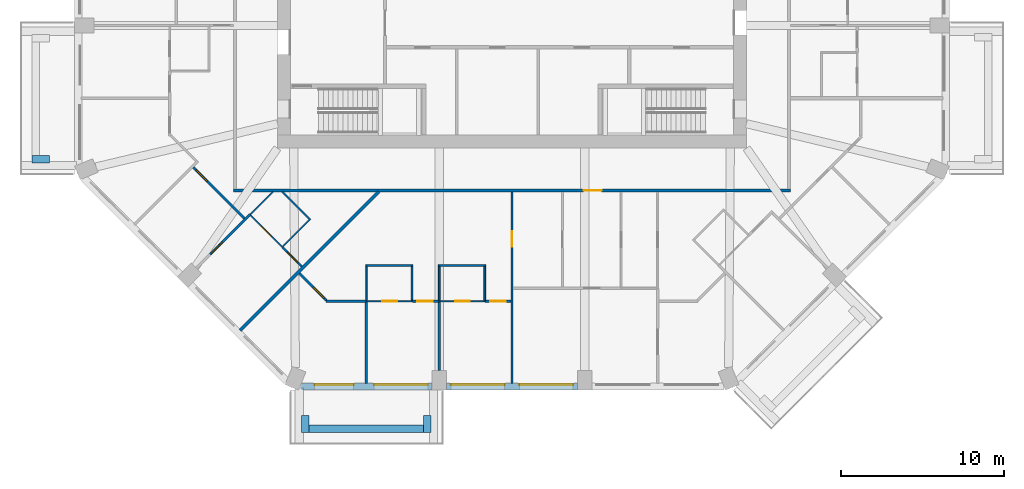
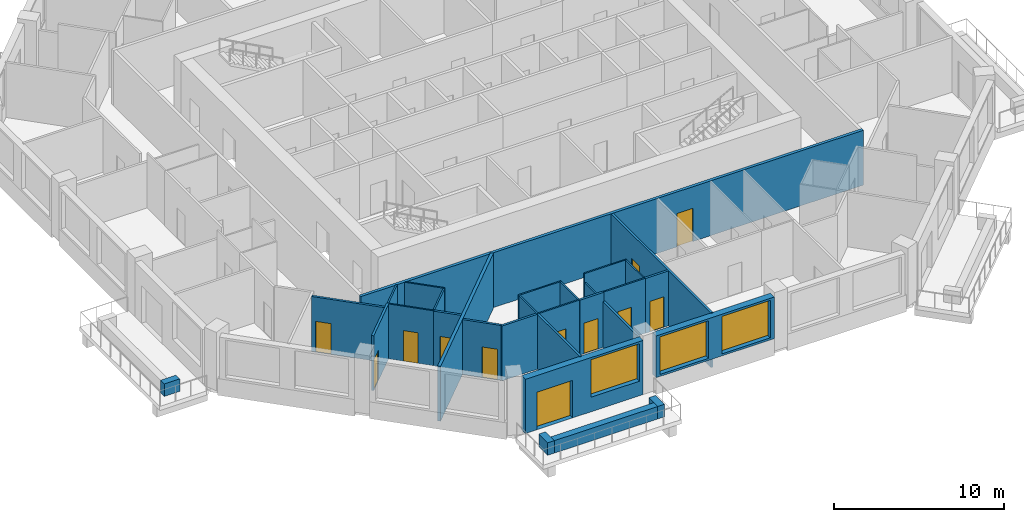
# One storey, part 3 of 12: 30 walls, 12 doors, 3 windows, 15 openings.
"""IFC4 building model written with IfcOpenShell, lengths in metres."""

import ifcopenshell
import ifcopenshell.guid

model = None  # the IFC model being written
_history = None  # IfcOwnerHistory: only IFC2X3 demands one
_inside = {}  # id of a spatial element -> (the spatial element, [elements in it])
_under = {}  # id of a project, library or spatial element -> (it, [spatial elements below it])
_declared = {}  # id of a project -> (the project, [libraries it declares])
_typed = {}  # id of a type object -> (the type object, [elements of that type])
_made_of = {}  # id of a material, layer set ... -> (it, [elements and type objects made of it])


def new_model(schema):
    """Start an empty IFC model of exactly this schema.

    Asked for "IFC4X3", IfcOpenShell would pick the latest addendum, in which some entities
    have other attributes; the version numbers below select the first issue.
    IFC2X3 requires an IfcOwnerHistory on every rooted entity: one is made here for all.
    """
    global model, _history
    if schema == "IFC4X3":
        model = ifcopenshell.file(schema_version=(4, 3, 0, 0))
    else:
        model = ifcopenshell.file(schema=schema)
    _inside.clear()
    _under.clear()
    _declared.clear()
    _typed.clear()
    _made_of.clear()
    _history = None
    if model.schema == "IFC2X3":
        org = make("IfcOrganization", Name="unknown")
        user = make(
            "IfcPersonAndOrganization",
            ThePerson=make("IfcPerson", FamilyName="unknown"),
            TheOrganization=org,
        )
        app = make(
            "IfcApplication",
            ApplicationDeveloper=org,
            Version="unknown",
            ApplicationFullName="unknown",
            ApplicationIdentifier="unknown",
        )
        _history = make(
            "IfcOwnerHistory",
            OwningUser=user,
            OwningApplication=app,
            ChangeAction="ADDED",
            CreationDate=0,
        )
    return model


def make(cls, **values):
    """One entity of the class cls with the attributes given. An attribute that is None is left unset."""
    return model.create_entity(
        cls, **{name: value for name, value in values.items() if value is not None}
    )


def rooted(cls, **values):
    """An entity with a GlobalId (a new one), such as an element, a storey or a relation."""
    return make(cls, GlobalId=ifcopenshell.guid.new(), OwnerHistory=_history, **values)


def si_unit(unit_type, name, prefix=None):
    """IfcSIUnit, for example si_unit("LENGTHUNIT", "METRE", prefix="MILLI")."""
    return make("IfcSIUnit", UnitType=unit_type, Prefix=prefix, Name=name)


def assignment(units):
    """IfcUnitAssignment: the units of a project."""
    return None if units is None else make("IfcUnitAssignment", Units=units)


def point(xyz):
    """IfcCartesianPoint."""
    return None if xyz is None else make("IfcCartesianPoint", Coordinates=xyz)


def direction(xyz):
    """IfcDirection."""
    return None if xyz is None else make("IfcDirection", DirectionRatios=xyz)


def frame(location, z_axis=None, x_axis=None):
    """IfcAxis2Placement3D, a coordinate frame: its origin and axes. An axis left out is left unset."""
    return make(
        "IfcAxis2Placement3D",
        Location=point(location),
        Axis=direction(z_axis),
        RefDirection=direction(x_axis),
    )


def frame_2d(location, x_axis=None):
    """IfcAxis2Placement2D, a coordinate frame in the plane: its origin and x axis."""
    return make(
        "IfcAxis2Placement2D", Location=point(location), RefDirection=direction(x_axis)
    )


def origin():
    """The frame at (0, 0, 0) with its axes left unset."""
    return frame((0.0, 0.0, 0.0))


def place(relative_to, where):
    """IfcLocalPlacement: puts the frame where relative to a parent placement (None: the world)."""
    return make(
        "IfcLocalPlacement", PlacementRelTo=relative_to, RelativePlacement=where
    )


def context(
    kind, dimensions, precision=None, world=None, true_north=None, identifier=None
):
    """IfcGeometricRepresentationContext, for example the 3D "Model" context."""
    return make(
        "IfcGeometricRepresentationContext",
        ContextIdentifier=identifier,
        ContextType=kind,
        CoordinateSpaceDimension=dimensions,
        Precision=precision,
        WorldCoordinateSystem=world,
        TrueNorth=true_north,
    )


def subcontext(parent, identifier, kind, view, scale=None):
    """IfcGeometricRepresentationSubContext, for example "Body" below "Model"."""
    return make(
        "IfcGeometricRepresentationSubContext",
        ContextIdentifier=identifier,
        ContextType=kind,
        ParentContext=parent,
        TargetScale=scale,
        TargetView=view,
    )


def project(units=None, contexts=None):
    """IfcProject with its units and contexts."""
    return rooted(
        "IfcProject",
        Name="project",
        RepresentationContexts=contexts,
        UnitsInContext=assignment(units),
    )


def spatial(cls, under=None, at=None, **own):
    """A site, building, storey or space (cls), placed at a placement, below another one or the project."""
    s = rooted(cls, ObjectPlacement=at, **own)
    if under is not None:
        _under.setdefault(under.id(), (under, []))[1].append(s)
    return s


def profile(cls, at=None, kind="AREA", **sizes):
    """A parametric profile (cls). Its sizes go by their IFC names, for example OverallWidth=200.0."""
    return make(cls, ProfileType=kind, Position=at, **sizes)


def rectangle(**sizes):
    """IfcRectangleProfileDef."""
    return profile("IfcRectangleProfileDef", **sizes)


def extrude(swept, where, along, depth):
    """IfcExtrudedAreaSolid: the profile swept, set in the frame where, extruded along a direction by depth."""
    return make(
        "IfcExtrudedAreaSolid",
        SweptArea=swept,
        Position=where,
        ExtrudedDirection=direction(along),
        Depth=depth,
    )


def shape(context_of_items, identifier, shape_type, items):
    """IfcShapeRepresentation: the items that make up one representation, for example the "Body"."""
    return make(
        "IfcShapeRepresentation",
        ContextOfItems=context_of_items,
        RepresentationIdentifier=identifier,
        RepresentationType=shape_type,
        Items=items,
    )


def material(Name=None, Category=None):
    """IfcMaterial."""
    return make("IfcMaterial", Name=Name, Category=Category)


def layer(
    of_material, thickness, ventilated=None, Name=None, Category=None, Priority=None
):
    """IfcMaterialLayer: one layer of a wall or slab, of a material (None: an air gap)."""
    return make(
        "IfcMaterialLayer",
        Material=of_material,
        LayerThickness=thickness,
        IsVentilated=ventilated,
        Name=Name,
        Category=Category,
        Priority=Priority,
    )


def layer_set(layers, Name=None):
    """IfcMaterialLayerSet."""
    return make("IfcMaterialLayerSet", MaterialLayers=layers, LayerSetName=Name)


def made_of(thing, what):
    """Note that an element or type object is made of a material, layer set ...; save() writes the relation."""
    if what is not None:
        _made_of.setdefault(what.id(), (what, []))[1].append(thing)
    return thing


def type_object(cls, material=None, **own):
    """A type object (cls), such as IfcWallType, which elements share."""
    return made_of(rooted(cls, **own), material)


def element(
    cls,
    number,
    at=None,
    inside=None,
    cuts=None,
    type_object=None,
    material=None,
    context=None,
    identifier="Body",
    shape_type=None,
    held_by="IfcProductDefinitionShape",
    body=None,
    shapes=None,
    **own,
):
    """One element of the class cls, such as IfcWall. Its Tag is "e" and its number.

    at: its placement. inside: the storey or other place that contains it. cuts: it is an
    opening in that element (IfcRelVoidsElement). A single representation is given by context,
    identifier, shape_type and body (its items); several are given by shapes. held_by: the class
    of the entity that holds the representations. save() writes the other relations.
    """
    e = rooted(cls, Tag="e%d" % number, ObjectPlacement=at, **own)
    if body is not None:
        shapes = [shape(context, identifier, shape_type, body)]
    if shapes is not None:
        e.Representation = make(held_by, Representations=shapes)
    if inside is not None:
        _inside.setdefault(inside.id(), (inside, []))[1].append(e)
    if cuts is not None:
        rooted(
            "IfcRelVoidsElement", RelatingBuildingElement=cuts, RelatedOpeningElement=e
        )
    if type_object is not None:
        _typed.setdefault(type_object.id(), (type_object, []))[1].append(e)
    return made_of(e, material)


def fill(opening, filler):
    """IfcRelFillsElement: the door or window that sits in an opening."""
    return rooted(
        "IfcRelFillsElement",
        RelatingOpeningElement=opening,
        RelatedBuildingElement=filler,
    )


def aggregate(whole, parts):
    """IfcRelAggregates: a whole, such as a stair, and the parts it consists of."""
    return rooted("IfcRelAggregates", RelatingObject=whole, RelatedObjects=parts)


def save(model, path):
    """Write the relations noted so far, then the file.

    IfcRelAggregates (storeys below a building ...), IfcRelContainedInSpatialStructure (elements
    in a storey), IfcRelDefinesByType, IfcRelAssociatesMaterial and IfcRelDeclares: one each for
    every whole, place, type object, material and project.
    """
    for whole, parts in _under.values():
        aggregate(whole, parts)
    for where, things in _inside.values():
        rooted(
            "IfcRelContainedInSpatialStructure",
            RelatedElements=things,
            RelatingStructure=where,
        )
    for kind, things in _typed.values():
        rooted("IfcRelDefinesByType", RelatedObjects=things, RelatingType=kind)
    for what, things in _made_of.values():
        rooted("IfcRelAssociatesMaterial", RelatedObjects=things, RelatingMaterial=what)
    for by, libraries in _declared.values():
        rooted("IfcRelDeclares", RelatingContext=by, RelatedDefinitions=libraries)
    model.write(path)


model = new_model("IFC4")

# Units and contexts
model_context = context("Model", 3, precision=1e-05, world=origin(), true_north=direction((0.0, 1.0)))
body_context = subcontext(model_context, "Body", "Model", "MODEL_VIEW")
ifc_project = project(units=[si_unit("LENGTHUNIT", "METRE"), si_unit("AREAUNIT", "SQUARE_METRE"), si_unit("VOLUMEUNIT", "CUBIC_METRE"), si_unit("PLANEANGLEUNIT", "RADIAN"), si_unit("MASSUNIT", "GRAM", prefix="KILO")], contexts=[model_context])

# Site, building, storey
site_placement = place(None, origin())
site = spatial("IfcSite", under=ifc_project, at=site_placement, CompositionType="ELEMENT")
building_placement = place(site_placement, origin())
building = spatial("IfcBuilding", under=site, at=building_placement, Name="Msitu Wima Residences", CompositionType="ELEMENT")
storey_placement = place(building_placement, frame((0.0, 0.0, 123.300048828125)))
storey = spatial("IfcBuildingStorey", under=building, at=storey_placement, Name="L28", CompositionType="ELEMENT", Elevation=123.300048828125)

# Walls
ifc_material_1 = material(Name="Facing brick")
ifc_layer_1 = layer(ifc_material_1, 0.06494140625, Name="Facing brick")
ifc_material_2 = material(Name="Concrete C40/50", Category="concrete")
ifc_layer_2 = layer(ifc_material_2, 0.156005859375, Name="Concrete C40/50")
ifc_material_3 = material(Name="Waterproofing membrane")
ifc_layer_3 = layer(ifc_material_3, 0.00390625, Name="Waterproofing membrane")
ifc_material_4 = material(Name="Planting soil and planting")
ifc_layer_4 = layer(ifc_material_4, 0.22509765625, Name="Planting soil and planting")
ifc_layer_set_1 = layer_set([ifc_layer_1, ifc_layer_2, ifc_layer_3, ifc_layer_4], Name="Concrete C40/50")
wall_type_1 = type_object("IfcWallType", Name="Balcony planter PLANTER PL450", PredefinedType="USERDEFINED", material=ifc_layer_set_1)
wall_1_placement = place(storey_placement, frame((-28.39990234375, -12.680908203125, 0.0), z_axis=(0.0, 0.0, 1.0), x_axis=(-1.0, 0.0, 0.0)))
element("IfcWall", 1, at=wall_1_placement, inside=storey, type_object=wall_type_1, Name="Balcony planter W2 L28", ObjectType="PLANTER", PredefinedType="USERDEFINED", context=body_context, shape_type="SweptSolid", body=[
    extrude(rectangle(XDim=1.050048828125, YDim=0.449951171875, at=frame_2d((0.52490234375, 0.0))), origin(), (0.0, 0.0, 1.0), 0.89990234375),
])
wall_2_placement = place(storey_placement, frame((-12.455810546875, -29.22509765625, 0.0), z_axis=(0.0, 0.0, 1.0), x_axis=(1.0, 0.0, 0.0)))
element("IfcWall", 2, at=wall_2_placement, inside=storey, type_object=wall_type_1, Name="Balcony planter S0 L28", ObjectType="PLANTER", PredefinedType="USERDEFINED", context=body_context, shape_type="SweptSolid", body=[
    extrude(rectangle(XDim=7.037109375, YDim=0.449951171875, at=frame_2d((3.5185546875, 0.0))), origin(), (0.0, 0.0, 1.0), 0.89990234375),
])
for number, where, z_axis, x_axis, name in (
    (3, (-12.680908203125, -28.39990234375, 0.0), (0.0, 0.0, 1.0), (0.0, -1.0, 0.0), "Balcony planter S0 L28"),
    (4, (-5.193603515625, -28.39990234375, 0.0), (0.0, 0.0, 1.0), (0.0, -1.0, 0.0), "Balcony planter S0 L28"),
):
    element("IfcWall", number, at=place(storey_placement, frame(where, z_axis=z_axis, x_axis=x_axis)), inside=storey, type_object=wall_type_1, Name=name, ObjectType="PLANTER", PredefinedType="USERDEFINED", context=body_context, shape_type="SweptSolid", body=[
        extrude(rectangle(XDim=1.050048828125, YDim=0.449951171875, at=frame_2d((0.52490234375, 0.0))), origin(), (0.0, 0.0, 1.0), 0.89990234375),
    ])

# Wall, openings, door, window
ifc_material_5 = material(Name="Brick (red buff mix)", Category="masonry")
ifc_layer_5 = layer(ifc_material_5, 0.449951171875)
ifc_layer_set_2 = layer_set([ifc_layer_5], Name="Brick (red buff mix)")
wall_type_2 = type_object("IfcWallType", Name="Brick infill wall BW450", PredefinedType="SOLIDWALL", material=ifc_layer_set_2)
wall_3_placement = place(storey_placement, frame((-12.918701171875, -26.625, 0.0), z_axis=(0.0, 0.0, 1.0), x_axis=(1.0, 0.0, 0.0)))
wall_3 = element("IfcWall", 5, at=wall_3_placement, inside=storey, type_object=wall_type_2, Name="Brick infill wall L28 S0", PredefinedType="SOLIDWALL", context=body_context, shape_type="SweptSolid", body=[
    extrude(rectangle(XDim=8.0, YDim=0.449951171875, at=frame_2d((4.0, 0.0))), origin(), (0.0, 0.0, 1.0), 3.89990234375),
])
opening_1_placement = place(wall_3_placement, frame((0.800048828125, 0.0, 0.0)))
opening_1 = element("IfcOpeningElement", 6, at=opening_1_placement, cuts=wall_3, Name="Opening D27-29.005", PredefinedType="OPENING", context=body_context, shape_type="SweptSolid", body=[
    extrude(rectangle(XDim=2.39990234375, YDim=2.699951171875, at=frame_2d((1.199951171875, 1.35009765625))), frame((0.0, 0.23486328125, 0.0), z_axis=(0.0, -1.0, 0.0), x_axis=(1.0, 0.0, 0.0)), (0.0, 0.0, 1.0), 0.469970703125),
])
opening_2_placement = place(wall_3_placement, frame((4.4501953125, 0.0, 1.050048828125)))
opening_2 = element("IfcOpeningElement", 7, at=opening_2_placement, cuts=wall_3, Name="Opening W27-29.017", PredefinedType="OPENING", context=body_context, shape_type="SweptSolid", body=[
    extrude(rectangle(XDim=3.300048828125, YDim=2.699951171875, at=frame_2d((1.64990234375, 1.35009765625))), frame((0.0, 0.23486328125, 0.0), z_axis=(0.0, -1.0, 0.0), x_axis=(1.0, 0.0, 0.0)), (0.0, 0.0, 1.0), 0.469970703125),
])
ifc_material_6 = material(Name="Anodised aluminium, bronze finish, clear low-emissivity double glazing", Category="aluminium")
door_type_1 = type_object("IfcDoorType", Name="Balcony door D2400x2700", OperationType="SLIDING_TO_LEFT", PredefinedType="DOOR", material=ifc_material_6)
door_1_placement = place(opening_1_placement, origin())
door_1 = element("IfcDoor", 8, at=door_1_placement, inside=storey, type_object=door_type_1, Name="Balcony door L28 S0", OperationType="SINGLE_SWING_LEFT", OverallHeight=2.699951171875, OverallWidth=2.39990234375, PredefinedType="DOOR", context=body_context, shape_type="SweptSolid", body=[
    extrude(rectangle(XDim=2.39990234375, YDim=2.699951171875, at=frame_2d((1.199951171875, 1.35009765625))), frame((0.0, 0.1298828125, 0.0), z_axis=(0.0, -1.0, 0.0), x_axis=(1.0, 0.0, 0.0)), (0.0, 0.0, 1.0), 0.050048828125),
])
fill(opening_1, door_1)
window_type = type_object("IfcWindowType", Name="Window W3300x2700", PartitioningType="DOUBLE_PANEL_VERTICAL", PredefinedType="WINDOW", material=ifc_material_6)
window_1_placement = place(opening_2_placement, origin())
window_1 = element("IfcWindow", 9, at=window_1_placement, inside=storey, type_object=window_type, Name="Window L28 S0.2", OverallHeight=2.699951171875, OverallWidth=3.300048828125, PartitioningType="SINGLE_PANEL", PredefinedType="WINDOW", context=body_context, shape_type="SweptSolid", body=[
    extrude(rectangle(XDim=3.300048828125, YDim=2.699951171875, at=frame_2d((1.64990234375, 1.35009765625))), frame((0.0, 0.135009765625, 0.0), z_axis=(0.0, -1.0, 0.0), x_axis=(1.0, 0.0, 0.0)), (0.0, 0.0, 1.0), 0.06005859375),
])
fill(opening_2, window_1)

# Wall, openings, windows
wall_4_placement = place(storey_placement, frame((-4.0185546875, -26.625, 0.89990234375), z_axis=(0.0, 0.0, 1.0), x_axis=(1.0, 0.0, 0.0)))
wall_4 = element("IfcWall", 10, at=wall_4_placement, inside=storey, type_object=wall_type_2, Name="Brick infill wall L28 S1", PredefinedType="SOLIDWALL", context=body_context, shape_type="SweptSolid", body=[
    extrude(rectangle(XDim=8.037109375, YDim=0.449951171875, at=frame_2d((4.0185546875, 0.0))), origin(), (0.0, 0.0, 1.0), 3.0),
])
opening_3_placement = place(wall_4_placement, frame((0.2685546875, 0.0, 0.14990234375)))
opening_3 = element("IfcOpeningElement", 11, at=opening_3_placement, cuts=wall_4, Name="Opening W27-29.018", PredefinedType="OPENING", context=body_context, shape_type="SweptSolid", body=[
    extrude(rectangle(XDim=3.300048828125, YDim=2.699951171875, at=frame_2d((1.64990234375, 1.35009765625))), frame((0.0, 0.23486328125, 0.0), z_axis=(0.0, -1.0, 0.0), x_axis=(1.0, 0.0, 0.0)), (0.0, 0.0, 1.0), 0.469970703125),
])
opening_4_placement = place(wall_4_placement, frame((4.46875, 0.0, 0.14990234375)))
opening_4 = element("IfcOpeningElement", 12, at=opening_4_placement, cuts=wall_4, Name="Opening W27-29.019", PredefinedType="OPENING", context=body_context, shape_type="SweptSolid", body=[
    extrude(rectangle(XDim=3.300048828125, YDim=2.699951171875, at=frame_2d((1.64990234375, 1.35009765625))), frame((0.0, 0.23486328125, 0.0), z_axis=(0.0, -1.0, 0.0), x_axis=(1.0, 0.0, 0.0)), (0.0, 0.0, 1.0), 0.469970703125),
])
window_2_placement = place(opening_3_placement, origin())
window_2 = element("IfcWindow", 13, at=window_2_placement, inside=storey, type_object=window_type, Name="Window L28 S1.1", OverallHeight=2.699951171875, OverallWidth=3.300048828125, PartitioningType="SINGLE_PANEL", PredefinedType="WINDOW", context=body_context, shape_type="SweptSolid", body=[
    extrude(rectangle(XDim=3.300048828125, YDim=2.699951171875, at=frame_2d((1.64990234375, 1.35009765625))), frame((0.0, 0.135009765625, 0.0), z_axis=(0.0, -1.0, 0.0), x_axis=(1.0, 0.0, 0.0)), (0.0, 0.0, 1.0), 0.06005859375),
])
fill(opening_3, window_2)
window_3_placement = place(opening_4_placement, origin())
window_3 = element("IfcWindow", 14, at=window_3_placement, inside=storey, type_object=window_type, Name="Window L28 S1.2", OverallHeight=2.699951171875, OverallWidth=3.300048828125, PartitioningType="SINGLE_PANEL", PredefinedType="WINDOW", context=body_context, shape_type="SweptSolid", body=[
    extrude(rectangle(XDim=3.300048828125, YDim=2.699951171875, at=frame_2d((1.64990234375, 1.35009765625))), frame((0.0, 0.135009765625, 0.0), z_axis=(0.0, -1.0, 0.0), x_axis=(1.0, 0.0, 0.0)), (0.0, 0.0, 1.0), 0.06005859375),
])
fill(opening_4, window_3)

# Wall, opening, door
ifc_material_7 = material(Name="Plaster")
ifc_layer_6 = layer(ifc_material_7, 0.011962890625, Name="Plaster")
ifc_material_8 = material(Name="Concrete blockwork", Category="masonry")
ifc_layer_7 = layer(ifc_material_8, 0.176025390625, Name="Concrete blockwork")
ifc_layer_8 = layer(ifc_material_7, 0.011962890625, Name="Plaster")
ifc_layer_set_3 = layer_set([ifc_layer_6, ifc_layer_7, ifc_layer_8], Name="Concrete blockwork")
wall_type_3 = type_object("IfcWallType", Name="Corridor wall FW200", PredefinedType="PARTITIONING", material=ifc_layer_set_3)
wall_5_placement = place(storey_placement, frame((-17.10009765625, -14.60009765625, 0.0), z_axis=(0.0, 0.0, 1.0), x_axis=(1.0, 0.0, 0.0)))
wall_5 = element("IfcWall", 15, at=wall_5_placement, inside=storey, type_object=wall_type_3, Name="Corridor wall", PredefinedType="PARTITIONING", context=body_context, shape_type="SweptSolid", body=[
    extrude(rectangle(XDim=34.2001953125, YDim=0.199951171875, at=frame_2d((17.10009765625, 0.0))), origin(), (0.0, 0.0, 1.0), 3.949951171875),
])
opening_5_placement = place(wall_5_placement, frame((21.5, 0.0, 0.0)))
opening_5 = element("IfcOpeningElement", 16, at=opening_5_placement, cuts=wall_5, Name="Opening D27-29.010", PredefinedType="OPENING", context=body_context, shape_type="SweptSolid", body=[
    extrude(rectangle(XDim=1.10009765625, YDim=2.39990234375, at=frame_2d((0.550048828125, 1.199951171875))), frame((0.0, 0.10986328125, 0.0), z_axis=(0.0, -1.0, 0.0), x_axis=(1.0, 0.0, 0.0)), (0.0, 0.0, 1.0), 0.219970703125),
])
ifc_material_9 = material(Name="Timber flush door, fire resisting, self-closing", Category="wood")
door_type_2 = type_object("IfcDoorType", Name="Flat entrance door D01 1100x2400", OperationType="SINGLE_SWING_LEFT", PredefinedType="DOOR", material=ifc_material_9)
door_2_placement = place(opening_5_placement, origin())
door_2 = element("IfcDoor", 17, at=door_2_placement, inside=storey, type_object=door_type_2, Name="Flat entrance door", OperationType="SINGLE_SWING_LEFT", OverallHeight=2.39990234375, OverallWidth=1.10009765625, PredefinedType="DOOR", context=body_context, shape_type="SweptSolid", body=[
    extrude(rectangle(XDim=1.10009765625, YDim=2.39990234375, at=frame_2d((0.550048828125, 1.199951171875))), frame((0.0, 0.02490234375, 0.0), z_axis=(0.0, -1.0, 0.0), x_axis=(1.0, 0.0, 0.0)), (0.0, 0.0, 1.0), 0.050048828125),
])
fill(opening_5, door_2)

ifc_layer_9 = layer(ifc_material_7, 0.011962890625, Name="Plaster")
ifc_layer_10 = layer(ifc_material_8, 0.1259765625, Name="Concrete blockwork")
ifc_layer_11 = layer(ifc_material_7, 0.011962890625, Name="Plaster")
ifc_layer_set_4 = layer_set([ifc_layer_9, ifc_layer_10, ifc_layer_11], Name="Concrete blockwork")
wall_type_4 = type_object("IfcWallType", Name="Partition PW150", PredefinedType="PARTITIONING", material=ifc_layer_set_4)
wall_6_placement = place(storey_placement, frame((-18.517578125, -18.517578125, 0.0), z_axis=(0.0, 0.0, 1.0), x_axis=(0.707106781187, 0.707106781187, 0.0)))
wall_6 = element("IfcWall", 18, at=wall_6_placement, inside=storey, type_object=wall_type_4, Name="Partition", PredefinedType="PARTITIONING", context=body_context, shape_type="SweptSolid", body=[
    extrude(rectangle(XDim=3.4609375, YDim=0.14990234375, at=frame_2d((1.73046875, 0.0))), origin(), (0.0, 0.0, 1.0), 3.949951171875),
])
opening_6_placement = place(wall_6_placement, frame((0.0908203125, 0.0, 0.0)))
opening_6 = element("IfcOpeningElement", 19, at=opening_6_placement, cuts=wall_6, Name="Opening D27-29.065", PredefinedType="OPENING", context=body_context, shape_type="SweptSolid", body=[
    extrude(rectangle(XDim=0.949951171875, YDim=2.199951171875, at=frame_2d((0.47509765625, 1.10009765625))), frame((0.0, 0.0849609375, 0.0), z_axis=(0.0, -1.0, 0.0), x_axis=(1.0, 0.0, 0.0)), (0.0, 0.0, 1.0), 0.169921875),
])
ifc_material_10 = material(Name="Timber flush door", Category="wood")
door_type_3 = type_object("IfcDoorType", Name="Room door D12 950x2200", OperationType="SINGLE_SWING_LEFT", PredefinedType="DOOR", material=ifc_material_10)
door_3_placement = place(opening_6_placement, origin())
door_3 = element("IfcDoor", 20, at=door_3_placement, inside=storey, type_object=door_type_3, Name="Room door", OperationType="SINGLE_SWING_RIGHT", OverallHeight=2.199951171875, OverallWidth=0.949951171875, PredefinedType="DOOR", context=body_context, shape_type="SweptSolid", body=[
    extrude(rectangle(XDim=0.949951171875, YDim=2.199951171875, at=frame_2d((0.47509765625, 1.10009765625))), frame((0.0, 0.02490234375, 0.0), z_axis=(0.0, -1.0, 0.0), x_axis=(1.0, 0.0, 0.0)), (0.0, 0.0, 1.0), 0.050048828125),
])
fill(opening_6, door_3)

wall_7_placement = place(storey_placement, frame((-19.56298828125, -13.171875, 0.0), z_axis=(0.0, 0.0, 1.0), x_axis=(0.707106781187, -0.707106781187, 0.0)))
wall_7 = element("IfcWall", 21, at=wall_7_placement, inside=storey, type_object=wall_type_4, Name="Partition", PredefinedType="PARTITIONING", context=body_context, shape_type="SweptSolid", body=[
    extrude(rectangle(XDim=4.4443359375, YDim=0.14990234375, at=frame_2d((2.22216796875, 0.0))), origin(), (0.0, 0.0, 1.0), 3.949951171875),
])
opening_7_placement = place(wall_7_placement, frame((0.25, 0.0, 0.0)))
opening_7 = element("IfcOpeningElement", 22, at=opening_7_placement, cuts=wall_7, Name="Opening D27-29.062", PredefinedType="OPENING", context=body_context, shape_type="SweptSolid", body=[
    extrude(rectangle(XDim=0.949951171875, YDim=2.199951171875, at=frame_2d((0.47509765625, 1.10009765625))), frame((0.0, 0.0849609375, 0.0), z_axis=(0.0, -1.0, 0.0), x_axis=(1.0, 0.0, 0.0)), (0.0, 0.0, 1.0), 0.169921875),
])
door_4_placement = place(opening_7_placement, origin())
door_4 = element("IfcDoor", 23, at=door_4_placement, inside=storey, type_object=door_type_3, Name="Room door", OperationType="SINGLE_SWING_RIGHT", OverallHeight=2.199951171875, OverallWidth=0.949951171875, PredefinedType="DOOR", context=body_context, shape_type="SweptSolid", body=[
    extrude(rectangle(XDim=0.949951171875, YDim=2.199951171875, at=frame_2d((0.47509765625, 1.10009765625))), frame((0.0, 0.02490234375, 0.0), z_axis=(0.0, -1.0, 0.0), x_axis=(1.0, 0.0, 0.0)), (0.0, 0.0, 1.0), 0.050048828125),
])
fill(opening_7, door_4)

wall_8_placement = place(storey_placement, frame((-14.090576171875, -18.07861328125, 0.0), z_axis=(0.0, 0.0, 1.0), x_axis=(0.707106781187, -0.707106781187, 0.0)))
wall_8 = element("IfcWall", 24, at=wall_8_placement, inside=storey, type_object=wall_type_4, Name="Partition", PredefinedType="PARTITIONING", context=body_context, shape_type="SweptSolid", body=[
    extrude(rectangle(XDim=1.67431640625, YDim=0.14990234375, at=frame_2d((0.837158203125, 0.0))), origin(), (0.0, 0.0, 1.0), 3.949951171875),
])
opening_8_placement = place(wall_8_placement, frame((0.39990234375, 0.0, 0.0)))
opening_8 = element("IfcOpeningElement", 25, at=opening_8_placement, cuts=wall_8, Name="Opening D27-29.067", PredefinedType="OPENING", context=body_context, shape_type="SweptSolid", body=[
    extrude(rectangle(XDim=0.949951171875, YDim=2.199951171875, at=frame_2d((0.47509765625, 1.10009765625))), frame((0.0, 0.0849609375, 0.0), z_axis=(0.0, -1.0, 0.0), x_axis=(1.0, 0.0, 0.0)), (0.0, 0.0, 1.0), 0.169921875),
])
door_5_placement = place(opening_8_placement, origin())
door_5 = element("IfcDoor", 26, at=door_5_placement, inside=storey, type_object=door_type_3, Name="Room door", OperationType="SINGLE_SWING_LEFT", OverallHeight=2.199951171875, OverallWidth=0.949951171875, PredefinedType="DOOR", context=body_context, shape_type="SweptSolid", body=[
    extrude(rectangle(XDim=0.949951171875, YDim=2.199951171875, at=frame_2d((0.47509765625, 1.10009765625))), frame((0.0, 0.02490234375, 0.0), z_axis=(0.0, -1.0, 0.0), x_axis=(1.0, 0.0, 0.0)), (0.0, 0.0, 1.0), 0.050048828125),
])
fill(opening_8, door_5)

wall_9_placement = place(storey_placement, frame((-13.048095703125, -19.686767578125, 0.0), z_axis=(0.0, 0.0, 1.0), x_axis=(0.707106781187, -0.707106781187, 0.0)))
wall_9 = element("IfcWall", 27, at=wall_9_placement, inside=storey, type_object=wall_type_4, Name="Partition", PredefinedType="PARTITIONING", context=body_context, shape_type="SweptSolid", body=[
    extrude(rectangle(XDim=2.347900390625, YDim=0.14990234375, at=frame_2d((1.173828125, 0.0))), origin(), (0.0, 0.0, 1.0), 3.949951171875),
])
opening_9_placement = place(wall_9_placement, frame((1.199951171875, 0.0, 0.0)))
opening_9 = element("IfcOpeningElement", 28, at=opening_9_placement, cuts=wall_9, Name="Opening D27-29.084", PredefinedType="OPENING", context=body_context, shape_type="SweptSolid", body=[
    extrude(rectangle(XDim=0.949951171875, YDim=2.199951171875, at=frame_2d((0.47509765625, 1.10009765625))), frame((0.0, 0.0849609375, 0.0), z_axis=(0.0, -1.0, 0.0), x_axis=(1.0, 0.0, 0.0)), (0.0, 0.0, 1.0), 0.169921875),
])
door_6_placement = place(opening_9_placement, origin())
door_6 = element("IfcDoor", 29, at=door_6_placement, inside=storey, type_object=door_type_3, Name="Room door", OperationType="SINGLE_SWING_RIGHT", OverallHeight=2.199951171875, OverallWidth=0.949951171875, PredefinedType="DOOR", context=body_context, shape_type="SweptSolid", body=[
    extrude(rectangle(XDim=0.949951171875, YDim=2.199951171875, at=frame_2d((0.47509765625, 1.10009765625))), frame((0.0, 0.02490234375, 0.0), z_axis=(0.0, -1.0, 0.0), x_axis=(1.0, 0.0, 0.0)), (0.0, 0.0, 1.0), 0.050048828125),
])
fill(opening_9, door_6)

# Walls
wall_10_placement = place(storey_placement, frame((-11.409912109375, -21.39990234375, 0.0), z_axis=(0.0, 0.0, 1.0), x_axis=(1.0, 0.0, 0.0)))
element("IfcWall", 30, at=wall_10_placement, inside=storey, type_object=wall_type_4, Name="Partition", PredefinedType="PARTITIONING", context=body_context, shape_type="SweptSolid", body=[
    extrude(rectangle(XDim=2.45263671875, YDim=0.14990234375, at=frame_2d((1.226318359375, 0.0))), origin(), (0.0, 0.0, 1.0), 3.949951171875),
])
wall_11_placement = place(storey_placement, frame((-8.937255859375, -26.455078125, 0.0), z_axis=(0.0, 0.0, 1.0), x_axis=(0.0, 1.0, 0.0)))
element("IfcWall", 31, at=wall_11_placement, inside=storey, type_object=wall_type_4, Name="Partition", PredefinedType="PARTITIONING", context=body_context, shape_type="SweptSolid", body=[
    extrude(rectangle(XDim=5.0751953125, YDim=0.14990234375, at=frame_2d((2.53759765625, 0.0))), origin(), (0.0, 0.0, 1.0), 3.949951171875),
])

# Wall, opening, door
wall_12_placement = place(storey_placement, frame((-6.1171875, -21.39990234375, 0.0), z_axis=(0.0, 0.0, 1.0), x_axis=(1.0, 0.0, 0.0)))
wall_12 = element("IfcWall", 32, at=wall_12_placement, inside=storey, type_object=wall_type_4, Name="Partition", PredefinedType="PARTITIONING", context=body_context, shape_type="SweptSolid", body=[
    extrude(rectangle(XDim=1.628662109375, YDim=0.14990234375, at=frame_2d((0.814453125, 0.0))), origin(), (0.0, 0.0, 1.0), 3.949951171875),
])
opening_10_placement = place(wall_12_placement, frame((0.300048828125, 0.0, 0.0)))
opening_10 = element("IfcOpeningElement", 33, at=opening_10_placement, cuts=wall_12, Name="Opening D27-29.079", PredefinedType="OPENING", context=body_context, shape_type="SweptSolid", body=[
    extrude(rectangle(XDim=0.949951171875, YDim=2.199951171875, at=frame_2d((0.47509765625, 1.10009765625))), frame((0.0, 0.0849609375, 0.0), z_axis=(0.0, -1.0, 0.0), x_axis=(1.0, 0.0, 0.0)), (0.0, 0.0, 1.0), 0.169921875),
])
door_7_placement = place(opening_10_placement, origin())
door_7 = element("IfcDoor", 34, at=door_7_placement, inside=storey, type_object=door_type_3, Name="Room door", OperationType="SINGLE_SWING_LEFT", OverallHeight=2.199951171875, OverallWidth=0.949951171875, PredefinedType="DOOR", context=body_context, shape_type="SweptSolid", body=[
    extrude(rectangle(XDim=0.949951171875, YDim=2.199951171875, at=frame_2d((0.47509765625, 1.10009765625))), frame((0.0, 0.02490234375, 0.0), z_axis=(0.0, -1.0, 0.0), x_axis=(1.0, 0.0, 0.0)), (0.0, 0.0, 1.0), 0.050048828125),
])
fill(opening_10, door_7)

# Wall
wall_13_placement = place(storey_placement, frame((-4.46875, -25.64990234375, 0.0), z_axis=(0.0, 0.0, 1.0), x_axis=(0.0, 1.0, 0.0)))
element("IfcWall", 35, at=wall_13_placement, inside=storey, type_object=wall_type_4, Name="Partition", PredefinedType="PARTITIONING", context=body_context, shape_type="SweptSolid", body=[
    extrude(rectangle(XDim=4.27001953125, YDim=0.14990234375, at=frame_2d((2.135009765625, 0.0))), origin(), (0.0, 0.0, 1.0), 3.300048828125),
])

# Wall, opening, door
wall_14_placement = place(storey_placement, frame((-1.648681640625, -21.39990234375, 0.0), z_axis=(0.0, 0.0, 1.0), x_axis=(1.0, 0.0, 0.0)))
wall_14 = element("IfcWall", 36, at=wall_14_placement, inside=storey, type_object=wall_type_4, Name="Partition", PredefinedType="PARTITIONING", context=body_context, shape_type="SweptSolid", body=[
    extrude(rectangle(XDim=1.57373046875, YDim=0.14990234375, at=frame_2d((0.786865234375, 0.0))), origin(), (0.0, 0.0, 1.0), 3.949951171875),
])
opening_11_placement = place(wall_14_placement, frame((0.300048828125, 0.0, 0.0)))
opening_11 = element("IfcOpeningElement", 37, at=opening_11_placement, cuts=wall_14, Name="Opening D27-29.082", PredefinedType="OPENING", context=body_context, shape_type="SweptSolid", body=[
    extrude(rectangle(XDim=0.949951171875, YDim=2.199951171875, at=frame_2d((0.47509765625, 1.10009765625))), frame((0.0, 0.0849609375, 0.0), z_axis=(0.0, -1.0, 0.0), x_axis=(1.0, 0.0, 0.0)), (0.0, 0.0, 1.0), 0.169921875),
])
door_8_placement = place(opening_11_placement, origin())
door_8 = element("IfcDoor", 38, at=door_8_placement, inside=storey, type_object=door_type_3, Name="Room door", OperationType="SINGLE_SWING_LEFT", OverallHeight=2.199951171875, OverallWidth=0.949951171875, PredefinedType="DOOR", context=body_context, shape_type="SweptSolid", body=[
    extrude(rectangle(XDim=0.949951171875, YDim=2.199951171875, at=frame_2d((0.47509765625, 1.10009765625))), frame((0.0, 0.02490234375, 0.0), z_axis=(0.0, -1.0, 0.0), x_axis=(1.0, 0.0, 0.0)), (0.0, 0.0, 1.0), 0.050048828125),
])
fill(opening_11, door_8)

wall_15_placement = place(storey_placement, frame((0.0, -26.455078125, 0.0), z_axis=(0.0, 0.0, 1.0), x_axis=(0.0, 1.0, 0.0)))
wall_15 = element("IfcWall", 39, at=wall_15_placement, inside=storey, type_object=wall_type_4, Name="Partition", PredefinedType="PARTITIONING", context=body_context, shape_type="SweptSolid", body=[
    extrude(rectangle(XDim=11.755126953125, YDim=0.14990234375, at=frame_2d((5.87744140625, 0.0))), origin(), (0.0, 0.0, 1.0), 3.949951171875),
])
opening_12_placement = place(wall_15_placement, frame((8.39990234375, 0.0, 0.0)))
opening_12 = element("IfcOpeningElement", 40, at=opening_12_placement, cuts=wall_15, Name="Opening D27-29.078", PredefinedType="OPENING", context=body_context, shape_type="SweptSolid", body=[
    extrude(rectangle(XDim=0.949951171875, YDim=2.199951171875, at=frame_2d((0.47509765625, 1.10009765625))), frame((0.0, 0.0849609375, 0.0), z_axis=(0.0, -1.0, 0.0), x_axis=(1.0, 0.0, 0.0)), (0.0, 0.0, 1.0), 0.169921875),
])
door_9_placement = place(opening_12_placement, origin())
door_9 = element("IfcDoor", 41, at=door_9_placement, inside=storey, type_object=door_type_3, Name="Room door", OperationType="SINGLE_SWING_LEFT", OverallHeight=2.199951171875, OverallWidth=0.949951171875, PredefinedType="DOOR", context=body_context, shape_type="SweptSolid", body=[
    extrude(rectangle(XDim=0.949951171875, YDim=2.199951171875, at=frame_2d((0.47509765625, 1.10009765625))), frame((0.0, 0.02490234375, 0.0), z_axis=(0.0, -1.0, 0.0), x_axis=(1.0, 0.0, 0.0)), (0.0, 0.0, 1.0), 0.050048828125),
])
fill(opening_12, door_9)

# Walls
ifc_layer_12 = layer(ifc_material_7, 0.011962890625, Name="Plaster")
ifc_material_11 = material(Name="Dense concrete blockwork", Category="masonry")
ifc_layer_13 = layer(ifc_material_11, 0.176025390625, Name="Dense concrete blockwork")
ifc_layer_14 = layer(ifc_material_7, 0.011962890625, Name="Plaster")
ifc_layer_set_5 = layer_set([ifc_layer_12, ifc_layer_13, ifc_layer_14], Name="Dense concrete blockwork")
wall_type_5 = type_object("IfcWallType", Name="Party wall PW200", PredefinedType="PARTITIONING", material=ifc_layer_set_5)
wall_16_placement = place(storey_placement, frame((-16.693359375, -23.1904296875, 0.0), z_axis=(0.0, 0.0, 1.0), x_axis=(0.707106781187, 0.707106781187, 0.0)))
element("IfcWall", 42, at=wall_16_placement, inside=storey, type_object=wall_type_5, Name="Party wall", PredefinedType="PARTITIONING", context=body_context, shape_type="SweptSolid", body=[
    extrude(rectangle(XDim=12.048828125, YDim=0.199951171875, at=frame_2d((6.0244140625, 0.0))), origin(), (0.0, 0.0, 1.0), 3.949951171875),
])
ifc_material_12 = material(Name="Ceramic tiles")
ifc_layer_15 = layer(ifc_material_12, 0.008056640625, Name="Ceramic tiles")
ifc_material_13 = material(Name="Moisture-resistant board")
ifc_layer_16 = layer(ifc_material_13, 0.012451171875, Name="Moisture-resistant board")
ifc_material_14 = material(Name="Light-gauge stud framing with mineral wool")
ifc_layer_17 = layer(ifc_material_14, 0.06689453125, Name="Light-gauge stud framing with mineral wool")
ifc_layer_18 = layer(ifc_material_13, 0.012451171875, Name="Moisture-resistant board")
ifc_layer_set_6 = layer_set([ifc_layer_15, ifc_layer_16, ifc_layer_17, ifc_layer_18], Name="Light-gauge stud framing with mineral wool")
wall_type_6 = type_object("IfcWallType", Name="Wet wall PW100", PredefinedType="PARTITIONING", material=ifc_layer_set_6)
wall_17_placement = place(storey_placement, frame((-16.0703125, -16.0703125, 0.0), z_axis=(0.0, 0.0, 1.0), x_axis=(0.707106781187, 0.707106781187, 0.0)))
element("IfcWall", 43, at=wall_17_placement, inside=storey, type_object=wall_type_6, Name="Wet wall", PredefinedType="PARTITIONING", context=body_context, shape_type="SweptSolid", body=[
    extrude(rectangle(XDim=1.9794921875, YDim=0.10009765625, at=frame_2d((0.98974609375, 0.0))), origin(), (0.0, 0.0, 1.0), 3.949951171875),
])

# Wall, opening, door
wall_18_placement = place(storey_placement, frame((-16.031494140625, -16.1376953125, 0.0), z_axis=(0.0, 0.0, 1.0), x_axis=(0.707106781187, -0.707106781187, 0.0)))
wall_18 = element("IfcWall", 44, at=wall_18_placement, inside=storey, type_object=wall_type_6, Name="Wet wall", PredefinedType="PARTITIONING", context=body_context, shape_type="SweptSolid", body=[
    extrude(rectangle(XDim=2.744873046875, YDim=0.10009765625, at=frame_2d((1.37255859375, 0.0))), origin(), (0.0, 0.0, 1.0), 3.949951171875),
])
opening_13_placement = place(wall_18_placement, frame((0.89990234375, 0.0, 0.0)))
opening_13 = element("IfcOpeningElement", 45, at=opening_13_placement, cuts=wall_18, Name="Opening D27-29.066", PredefinedType="OPENING", context=body_context, shape_type="SweptSolid", body=[
    extrude(rectangle(XDim=0.89990234375, YDim=2.199951171875, at=frame_2d((0.449951171875, 1.10009765625))), frame((0.0, 0.06005859375, 0.0), z_axis=(0.0, -1.0, 0.0), x_axis=(1.0, 0.0, 0.0)), (0.0, 0.0, 1.0), 0.1201171875),
])
ifc_material_15 = material(Name="Timber flush door, moisture resistant", Category="wood")
door_type_4 = type_object("IfcDoorType", Name="Bathroom door D03 900x2200", OperationType="SINGLE_SWING_LEFT", PredefinedType="DOOR", material=ifc_material_15)
door_10_placement = place(opening_13_placement, origin())
door_10 = element("IfcDoor", 46, at=door_10_placement, inside=storey, type_object=door_type_4, Name="Bathroom door", OperationType="SINGLE_SWING_RIGHT", OverallHeight=2.199951171875, OverallWidth=0.89990234375, PredefinedType="DOOR", context=body_context, shape_type="SweptSolid", body=[
    extrude(rectangle(XDim=0.89990234375, YDim=2.199951171875, at=frame_2d((0.449951171875, 1.10009765625))), frame((0.0, 0.02490234375, 0.0), z_axis=(0.0, -1.0, 0.0), x_axis=(1.0, 0.0, 0.0)), (0.0, 0.0, 1.0), 0.050048828125),
])
fill(opening_13, door_10)

# Walls
wall_19_placement = place(storey_placement, frame((-14.104248046875, -14.670654296875, 0.0), z_axis=(0.0, 0.0, 1.0), x_axis=(0.707056944574, -0.707156614287, 0.0)))
element("IfcWall", 47, at=wall_19_placement, inside=storey, type_object=wall_type_6, Name="Wet wall", PredefinedType="PARTITIONING", context=body_context, shape_type="SweptSolid", body=[
    extrude(rectangle(XDim=2.449462890625, YDim=0.10009765625, at=frame_2d((1.224609375, 0.0))), origin(), (0.0, 0.0, 1.0), 3.949951171875),
])
wall_20_placement = place(storey_placement, frame((-14.051513671875, -18.011474609375, 0.0), z_axis=(0.0, 0.0, 1.0), x_axis=(0.707106781187, 0.707106781187, 0.0)))
element("IfcWall", 48, at=wall_20_placement, inside=storey, type_object=wall_type_6, Name="Wet wall", PredefinedType="PARTITIONING", context=body_context, shape_type="SweptSolid", body=[
    extrude(rectangle(XDim=2.27490234375, YDim=0.10009765625, at=frame_2d((1.137451171875, 0.0))), origin(), (0.0, 0.0, 1.0), 3.949951171875),
])

# Wall, opening, door
wall_21_placement = place(storey_placement, frame((-8.957275390625, -21.39990234375, 0.0), z_axis=(0.0, 0.0, 1.0), x_axis=(1.0, 0.0, 0.0)))
wall_21 = element("IfcWall", 49, at=wall_21_placement, inside=storey, type_object=wall_type_6, Name="Wet wall", PredefinedType="PARTITIONING", context=body_context, shape_type="SweptSolid", body=[
    extrude(rectangle(XDim=2.840087890625, YDim=0.10009765625, at=frame_2d((1.419921875, 0.0))), origin(), (0.0, 0.0, 1.0), 3.949951171875),
])
opening_14_placement = place(wall_21_placement, frame((1.0, 0.0, 0.0)))
opening_14 = element("IfcOpeningElement", 50, at=opening_14_placement, cuts=wall_21, Name="Opening D27-29.080", PredefinedType="OPENING", context=body_context, shape_type="SweptSolid", body=[
    extrude(rectangle(XDim=0.89990234375, YDim=2.199951171875, at=frame_2d((0.449951171875, 1.10009765625))), frame((0.0, 0.06005859375, 0.0), z_axis=(0.0, -1.0, 0.0), x_axis=(1.0, 0.0, 0.0)), (0.0, 0.0, 1.0), 0.1201171875),
])
door_11_placement = place(opening_14_placement, origin())
door_11 = element("IfcDoor", 51, at=door_11_placement, inside=storey, type_object=door_type_4, Name="Bathroom door", OperationType="SINGLE_SWING_RIGHT", OverallHeight=2.199951171875, OverallWidth=0.89990234375, PredefinedType="DOOR", context=body_context, shape_type="SweptSolid", body=[
    extrude(rectangle(XDim=0.89990234375, YDim=2.199951171875, at=frame_2d((0.449951171875, 1.10009765625))), frame((0.0, 0.02490234375, 0.0), z_axis=(0.0, -1.0, 0.0), x_axis=(1.0, 0.0, 0.0)), (0.0, 0.0, 1.0), 0.050048828125),
])
fill(opening_14, door_11)

# Walls
wall_22_placement = place(storey_placement, frame((-8.937255859375, -21.3798828125, 0.0), z_axis=(0.0, 0.0, 1.0), x_axis=(0.0, 1.0, 0.0)))
element("IfcWall", 52, at=wall_22_placement, inside=storey, type_object=wall_type_6, Name="Wet wall", PredefinedType="PARTITIONING", context=body_context, shape_type="SweptSolid", body=[
    extrude(rectangle(XDim=2.1298828125, YDim=0.10009765625, at=frame_2d((1.06494140625, 0.0))), origin(), (0.0, 0.0, 1.0), 3.949951171875),
])
wall_23_placement = place(storey_placement, frame((-8.9873046875, -19.199951171875, 0.0), z_axis=(0.0, 0.0, 1.0), x_axis=(1.0, 0.0, 0.0)))
element("IfcWall", 53, at=wall_23_placement, inside=storey, type_object=wall_type_6, Name="Wet wall", PredefinedType="PARTITIONING", context=body_context, shape_type="SweptSolid", body=[
    extrude(rectangle(XDim=2.900146484375, YDim=0.10009765625, at=frame_2d((1.4501953125, 0.0))), origin(), (0.0, 0.0, 1.0), 3.949951171875),
])
wall_24_placement = place(storey_placement, frame((-6.13720703125, -21.324951171875, 0.0), z_axis=(0.0, 0.0, 1.0), x_axis=(0.0, 1.0, 0.0)))
element("IfcWall", 54, at=wall_24_placement, inside=storey, type_object=wall_type_6, Name="Wet wall", PredefinedType="PARTITIONING", context=body_context, shape_type="SweptSolid", body=[
    extrude(rectangle(XDim=2.074951171875, YDim=0.10009765625, at=frame_2d((1.03759765625, 0.0))), origin(), (0.0, 0.0, 1.0), 3.949951171875),
])

# Wall, opening, door
wall_25_placement = place(storey_placement, frame((-4.488525390625, -21.39990234375, 0.0), z_axis=(0.0, 0.0, 1.0), x_axis=(1.0, 0.0, 0.0)))
wall_25 = element("IfcWall", 55, at=wall_25_placement, inside=storey, type_object=wall_type_6, Name="Wet wall", PredefinedType="PARTITIONING", context=body_context, shape_type="SweptSolid", body=[
    extrude(rectangle(XDim=2.83984375, YDim=0.10009765625, at=frame_2d((1.419921875, 0.0))), origin(), (0.0, 0.0, 1.0), 3.949951171875),
])
opening_15_placement = place(wall_25_placement, frame((1.0, 0.0, 0.0)))
opening_15 = element("IfcOpeningElement", 56, at=opening_15_placement, cuts=wall_25, Name="Opening D27-29.083", PredefinedType="OPENING", context=body_context, shape_type="SweptSolid", body=[
    extrude(rectangle(XDim=0.89990234375, YDim=2.199951171875, at=frame_2d((0.449951171875, 1.10009765625))), frame((0.0, 0.06005859375, 0.0), z_axis=(0.0, -1.0, 0.0), x_axis=(1.0, 0.0, 0.0)), (0.0, 0.0, 1.0), 0.1201171875),
])
door_12_placement = place(opening_15_placement, origin())
door_12 = element("IfcDoor", 57, at=door_12_placement, inside=storey, type_object=door_type_4, Name="Bathroom door", OperationType="SINGLE_SWING_RIGHT", OverallHeight=2.199951171875, OverallWidth=0.89990234375, PredefinedType="DOOR", context=body_context, shape_type="SweptSolid", body=[
    extrude(rectangle(XDim=0.89990234375, YDim=2.199951171875, at=frame_2d((0.449951171875, 1.10009765625))), frame((0.0, 0.02490234375, 0.0), z_axis=(0.0, -1.0, 0.0), x_axis=(1.0, 0.0, 0.0)), (0.0, 0.0, 1.0), 0.050048828125),
])
fill(opening_15, door_12)

# Walls
wall_26_placement = place(storey_placement, frame((-4.46875, -21.3798828125, 0.0), z_axis=(0.0, 0.0, 1.0), x_axis=(0.0, 1.0, 0.0)))
element("IfcWall", 58, at=wall_26_placement, inside=storey, type_object=wall_type_6, Name="Wet wall", PredefinedType="PARTITIONING", context=body_context, shape_type="SweptSolid", body=[
    extrude(rectangle(XDim=2.1298828125, YDim=0.10009765625, at=frame_2d((1.06494140625, 0.0))), origin(), (0.0, 0.0, 1.0), 3.300048828125),
])
wall_27_placement = place(storey_placement, frame((-4.5185546875, -19.199951171875, 0.0), z_axis=(0.0, 0.0, 1.0), x_axis=(1.0, 0.0, 0.0)))
element("IfcWall", 59, at=wall_27_placement, inside=storey, type_object=wall_type_6, Name="Wet wall", PredefinedType="PARTITIONING", context=body_context, shape_type="SweptSolid", body=[
    extrude(rectangle(XDim=2.89990234375, YDim=0.10009765625, at=frame_2d((1.449951171875, 0.0))), origin(), (0.0, 0.0, 1.0), 3.949951171875),
])
wall_28_placement = place(storey_placement, frame((-1.668701171875, -21.35009765625, 0.0), z_axis=(0.0, 0.0, 1.0), x_axis=(0.0, 1.0, 0.0)))
element("IfcWall", 60, at=wall_28_placement, inside=storey, type_object=wall_type_6, Name="Wet wall", PredefinedType="PARTITIONING", context=body_context, shape_type="SweptSolid", body=[
    extrude(rectangle(XDim=2.10009765625, YDim=0.10009765625, at=frame_2d((1.050048828125, 0.0))), origin(), (0.0, 0.0, 1.0), 3.949951171875),
])

save(model, "model.ifc")
